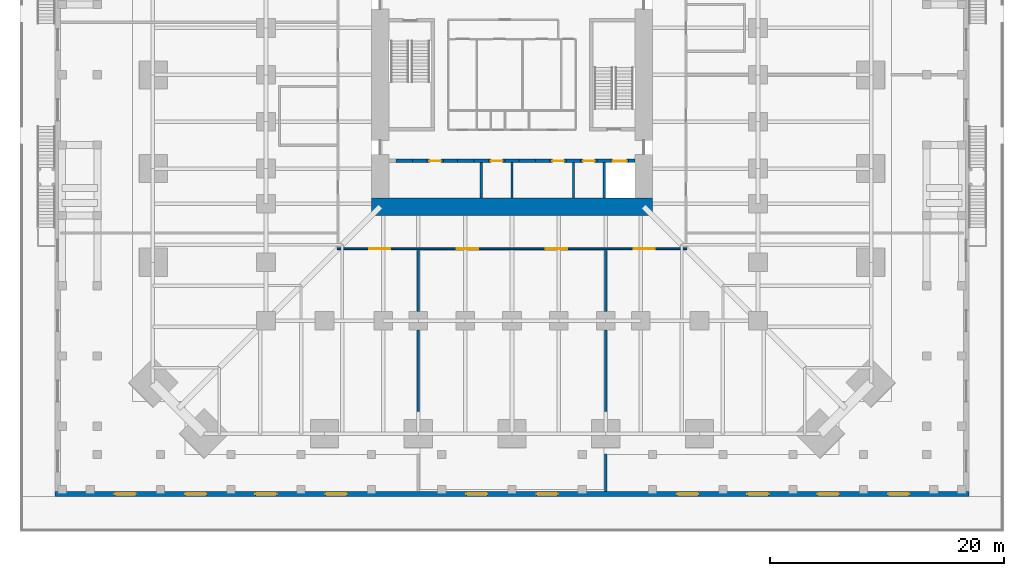
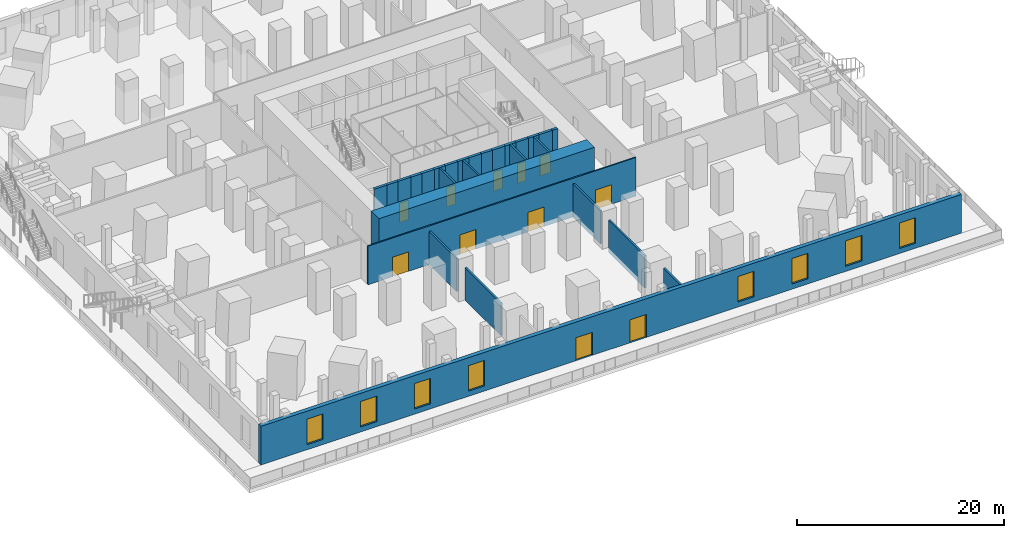
# One storey, part 11 of 22: 28 walls, 11 doors, 8 windows, 19 openings.
"""IFC4 building model written with IfcOpenShell, lengths in metres."""

from ifc_helpers import new_model, si_unit, direction, frame, frame_2d, origin, place, context, subcontext, project, spatial, rectangle, extrude, material, layer, layer_set, type_object, element, fill, save


model = new_model("IFC4")

# Units and contexts
model_context = context("Model", 3, precision=1e-05, world=origin(), true_north=direction((0.0, 1.0)))
body_context = subcontext(model_context, "Body", "Model", "MODEL_VIEW")
ifc_project = project(units=[si_unit("LENGTHUNIT", "METRE"), si_unit("AREAUNIT", "SQUARE_METRE"), si_unit("VOLUMEUNIT", "CUBIC_METRE"), si_unit("PLANEANGLEUNIT", "RADIAN"), si_unit("MASSUNIT", "GRAM", prefix="KILO")], contexts=[model_context])

# Site, building, storey
site_placement = place(None, origin())
site = spatial("IfcSite", under=ifc_project, at=site_placement, CompositionType="ELEMENT")
building_placement = place(site_placement, origin())
building = spatial("IfcBuilding", under=site, at=building_placement, Name="Peilmerk Tower", CompositionType="ELEMENT")
storey_placement = place(building_placement, frame((0.0, 0.0, 6.0)))
storey = spatial("IfcBuildingStorey", under=building, at=storey_placement, Name="L01", CompositionType="ELEMENT", Elevation=6.0)

# Wall, openings, doors, windows
ifc_material_1 = material(Name="Precast concrete C45/55, board-marked finish", Category="concrete")
ifc_layer_1 = layer(ifc_material_1, 0.449951171875)
ifc_layer_set_1 = layer_set([ifc_layer_1], Name="Precast concrete C45/55, board-marked finish")
wall_type_1 = type_object("IfcWallType", Name="EW1 450 precast concrete facade wall, board-marked", PredefinedType="SOLIDWALL", material=ifc_layer_set_1)
wall_1_placement = place(storey_placement, frame((39.0, -35.77490234375, 0.0), z_axis=(0.0, 0.0, 1.0), x_axis=(-1.0, 0.0, 0.0)))
wall_1 = element("IfcWall", 1, at=wall_1_placement, inside=storey, type_object=wall_type_1, Name="Facade wall S L01", PredefinedType="SOLIDWALL", context=body_context, shape_type="SweptSolid", body=[
    extrude(rectangle(XDim=78.0, YDim=0.449951171875, at=frame_2d((39.0, 0.0))), origin(), (0.0, 0.0, 1.0), 4.550048828125),
])
opening_1_placement = place(wall_1_placement, frame((5.10009765625, 0.0, 0.60009765625)))
opening_1 = element("IfcOpeningElement", 2, at=opening_1_placement, cuts=wall_1, Name="Opening W7", PredefinedType="OPENING", context=body_context, shape_type="SweptSolid", body=[
    extrude(rectangle(XDim=1.800048828125, YDim=3.0, at=frame_2d((0.89990234375, 1.5))), frame((0.0, 0.23486328125, 0.0), z_axis=(0.0, -1.0, 0.0), x_axis=(1.0, 0.0, 0.0)), (0.0, 0.0, 1.0), 0.469970703125),
])
opening_2_placement = place(wall_1_placement, frame((11.10009765625, 0.0, 0.60009765625)))
opening_2 = element("IfcOpeningElement", 3, at=opening_2_placement, cuts=wall_1, Name="Opening W7", PredefinedType="OPENING", context=body_context, shape_type="SweptSolid", body=[
    extrude(rectangle(XDim=1.800048828125, YDim=3.0, at=frame_2d((0.89990234375, 1.5))), frame((0.0, 0.23486328125, 0.0), z_axis=(0.0, -1.0, 0.0), x_axis=(1.0, 0.0, 0.0)), (0.0, 0.0, 1.0), 0.469970703125),
])
opening_3_placement = place(wall_1_placement, frame((17.10009765625, 0.0, 0.60009765625)))
opening_3 = element("IfcOpeningElement", 4, at=opening_3_placement, cuts=wall_1, Name="Opening W7", PredefinedType="OPENING", context=body_context, shape_type="SweptSolid", body=[
    extrude(rectangle(XDim=1.800048828125, YDim=3.0, at=frame_2d((0.89990234375, 1.5))), frame((0.0, 0.23486328125, 0.0), z_axis=(0.0, -1.0, 0.0), x_axis=(1.0, 0.0, 0.0)), (0.0, 0.0, 1.0), 0.469970703125),
])
opening_4_placement = place(wall_1_placement, frame((23.10009765625, 0.0, 0.60009765625)))
opening_4 = element("IfcOpeningElement", 5, at=opening_4_placement, cuts=wall_1, Name="Opening W7", PredefinedType="OPENING", context=body_context, shape_type="SweptSolid", body=[
    extrude(rectangle(XDim=1.800048828125, YDim=3.0, at=frame_2d((0.89990234375, 1.5))), frame((0.0, 0.23486328125, 0.0), z_axis=(0.0, -1.0, 0.0), x_axis=(1.0, 0.0, 0.0)), (0.0, 0.0, 1.0), 0.469970703125),
])
opening_5_placement = place(wall_1_placement, frame((53.10009765625, 0.0, 0.60009765625)))
opening_5 = element("IfcOpeningElement", 6, at=opening_5_placement, cuts=wall_1, Name="Opening W7", PredefinedType="OPENING", context=body_context, shape_type="SweptSolid", body=[
    extrude(rectangle(XDim=1.800048828125, YDim=3.0, at=frame_2d((0.89990234375, 1.5))), frame((0.0, 0.23486328125, 0.0), z_axis=(0.0, -1.0, 0.0), x_axis=(1.0, 0.0, 0.0)), (0.0, 0.0, 1.0), 0.469970703125),
])
opening_6_placement = place(wall_1_placement, frame((59.10009765625, 0.0, 0.60009765625)))
opening_6 = element("IfcOpeningElement", 7, at=opening_6_placement, cuts=wall_1, Name="Opening W7", PredefinedType="OPENING", context=body_context, shape_type="SweptSolid", body=[
    extrude(rectangle(XDim=1.800048828125, YDim=3.0, at=frame_2d((0.89990234375, 1.5))), frame((0.0, 0.23486328125, 0.0), z_axis=(0.0, -1.0, 0.0), x_axis=(1.0, 0.0, 0.0)), (0.0, 0.0, 1.0), 0.469970703125),
])
opening_7_placement = place(wall_1_placement, frame((65.10009765625, 0.0, 0.60009765625)))
opening_7 = element("IfcOpeningElement", 8, at=opening_7_placement, cuts=wall_1, Name="Opening W7", PredefinedType="OPENING", context=body_context, shape_type="SweptSolid", body=[
    extrude(rectangle(XDim=1.800048828125, YDim=3.0, at=frame_2d((0.89990234375, 1.5))), frame((0.0, 0.23486328125, 0.0), z_axis=(0.0, -1.0, 0.0), x_axis=(1.0, 0.0, 0.0)), (0.0, 0.0, 1.0), 0.469970703125),
])
opening_8_placement = place(wall_1_placement, frame((71.10009765625, 0.0, 0.60009765625)))
opening_8 = element("IfcOpeningElement", 9, at=opening_8_placement, cuts=wall_1, Name="Opening W7", PredefinedType="OPENING", context=body_context, shape_type="SweptSolid", body=[
    extrude(rectangle(XDim=1.800048828125, YDim=3.0, at=frame_2d((0.89990234375, 1.5))), frame((0.0, 0.23486328125, 0.0), z_axis=(0.0, -1.0, 0.0), x_axis=(1.0, 0.0, 0.0)), (0.0, 0.0, 1.0), 0.469970703125),
])
opening_9_placement = place(wall_1_placement, frame((35.10009765625, 0.0, 0.0)))
opening_9 = element("IfcOpeningElement", 10, at=opening_9_placement, cuts=wall_1, Name="Opening ED4", PredefinedType="OPENING", context=body_context, shape_type="SweptSolid", body=[
    extrude(rectangle(XDim=1.800048828125, YDim=2.699951171875, at=frame_2d((0.89990234375, 1.35009765625))), frame((0.0, 0.23486328125, 0.0), z_axis=(0.0, -1.0, 0.0), x_axis=(1.0, 0.0, 0.0)), (0.0, 0.0, 1.0), 0.469970703125),
])
opening_10_placement = place(wall_1_placement, frame((41.10009765625, 0.0, 0.0)))
opening_10 = element("IfcOpeningElement", 11, at=opening_10_placement, cuts=wall_1, Name="Opening ED4", PredefinedType="OPENING", context=body_context, shape_type="SweptSolid", body=[
    extrude(rectangle(XDim=1.800048828125, YDim=2.699951171875, at=frame_2d((0.89990234375, 1.35009765625))), frame((0.0, 0.23486328125, 0.0), z_axis=(0.0, -1.0, 0.0), x_axis=(1.0, 0.0, 0.0)), (0.0, 0.0, 1.0), 0.469970703125),
])
ifc_material_2 = material(Name="Aluminium frame, clear glazing", Category="aluminium")
door_type_1 = type_object("IfcDoorType", Name="ED4 1800x2700 terrace door pair, glazed", OperationType="DOUBLE_DOOR_DOUBLE_SWING", PredefinedType="DOOR", material=ifc_material_2)
door_1_placement = place(opening_9_placement, origin())
door_1 = element("IfcDoor", 12, at=door_1_placement, inside=storey, type_object=door_type_1, Name="Terrace door pair, glazed L01", OperationType="DOUBLE_DOOR_DOUBLE_SWING", OverallHeight=2.699951171875, OverallWidth=1.800048828125, PredefinedType="DOOR", context=body_context, shape_type="SweptSolid", body=[
    extrude(rectangle(XDim=1.800048828125, YDim=2.699951171875, at=frame_2d((0.89990234375, 1.35009765625))), frame((0.0, 0.02490234375, 0.0), z_axis=(0.0, -1.0, 0.0), x_axis=(1.0, 0.0, 0.0)), (0.0, 0.0, 1.0), 0.050048828125),
])
fill(opening_9, door_1)
door_2_placement = place(opening_10_placement, origin())
door_2 = element("IfcDoor", 13, at=door_2_placement, inside=storey, type_object=door_type_1, Name="Terrace door pair, glazed L01", OperationType="DOUBLE_DOOR_DOUBLE_SWING", OverallHeight=2.699951171875, OverallWidth=1.800048828125, PredefinedType="DOOR", context=body_context, shape_type="SweptSolid", body=[
    extrude(rectangle(XDim=1.800048828125, YDim=2.699951171875, at=frame_2d((0.89990234375, 1.35009765625))), frame((0.0, 0.02490234375, 0.0), z_axis=(0.0, -1.0, 0.0), x_axis=(1.0, 0.0, 0.0)), (0.0, 0.0, 1.0), 0.050048828125),
])
fill(opening_10, door_2)
ifc_material_3 = material(Name="Aluminium frame, clear double glazing", Category="aluminium")
window_type = type_object("IfcWindowType", Name="W7 1800x3000 podium window", PartitioningType="SINGLE_PANEL", PredefinedType="WINDOW", material=ifc_material_3)
window_1_placement = place(opening_1_placement, origin())
window_1 = element("IfcWindow", 14, at=window_1_placement, inside=storey, type_object=window_type, Name="Window W7 L01", OverallHeight=3.0, OverallWidth=1.800048828125, PartitioningType="SINGLE_PANEL", PredefinedType="WINDOW", context=body_context, shape_type="SweptSolid", body=[
    extrude(rectangle(XDim=1.800048828125, YDim=3.0, at=frame_2d((0.89990234375, 1.5))), frame((0.0, 0.030029296875, 0.0), z_axis=(0.0, -1.0, 0.0), x_axis=(1.0, 0.0, 0.0)), (0.0, 0.0, 1.0), 0.06005859375),
])
fill(opening_1, window_1)
window_2_placement = place(opening_2_placement, origin())
window_2 = element("IfcWindow", 15, at=window_2_placement, inside=storey, type_object=window_type, Name="Window W7 L01", OverallHeight=3.0, OverallWidth=1.800048828125, PartitioningType="SINGLE_PANEL", PredefinedType="WINDOW", context=body_context, shape_type="SweptSolid", body=[
    extrude(rectangle(XDim=1.800048828125, YDim=3.0, at=frame_2d((0.89990234375, 1.5))), frame((0.0, 0.030029296875, 0.0), z_axis=(0.0, -1.0, 0.0), x_axis=(1.0, 0.0, 0.0)), (0.0, 0.0, 1.0), 0.06005859375),
])
fill(opening_2, window_2)
window_3_placement = place(opening_3_placement, origin())
window_3 = element("IfcWindow", 16, at=window_3_placement, inside=storey, type_object=window_type, Name="Window W7 L01", OverallHeight=3.0, OverallWidth=1.800048828125, PartitioningType="SINGLE_PANEL", PredefinedType="WINDOW", context=body_context, shape_type="SweptSolid", body=[
    extrude(rectangle(XDim=1.800048828125, YDim=3.0, at=frame_2d((0.89990234375, 1.5))), frame((0.0, 0.030029296875, 0.0), z_axis=(0.0, -1.0, 0.0), x_axis=(1.0, 0.0, 0.0)), (0.0, 0.0, 1.0), 0.06005859375),
])
fill(opening_3, window_3)
window_4_placement = place(opening_4_placement, origin())
window_4 = element("IfcWindow", 17, at=window_4_placement, inside=storey, type_object=window_type, Name="Window W7 L01", OverallHeight=3.0, OverallWidth=1.800048828125, PartitioningType="SINGLE_PANEL", PredefinedType="WINDOW", context=body_context, shape_type="SweptSolid", body=[
    extrude(rectangle(XDim=1.800048828125, YDim=3.0, at=frame_2d((0.89990234375, 1.5))), frame((0.0, 0.030029296875, 0.0), z_axis=(0.0, -1.0, 0.0), x_axis=(1.0, 0.0, 0.0)), (0.0, 0.0, 1.0), 0.06005859375),
])
fill(opening_4, window_4)
window_5_placement = place(opening_5_placement, origin())
window_5 = element("IfcWindow", 18, at=window_5_placement, inside=storey, type_object=window_type, Name="Window W7 L01", OverallHeight=3.0, OverallWidth=1.800048828125, PartitioningType="SINGLE_PANEL", PredefinedType="WINDOW", context=body_context, shape_type="SweptSolid", body=[
    extrude(rectangle(XDim=1.800048828125, YDim=3.0, at=frame_2d((0.89990234375, 1.5))), frame((0.0, 0.030029296875, 0.0), z_axis=(0.0, -1.0, 0.0), x_axis=(1.0, 0.0, 0.0)), (0.0, 0.0, 1.0), 0.06005859375),
])
fill(opening_5, window_5)
window_6_placement = place(opening_6_placement, origin())
window_6 = element("IfcWindow", 19, at=window_6_placement, inside=storey, type_object=window_type, Name="Window W7 L01", OverallHeight=3.0, OverallWidth=1.800048828125, PartitioningType="SINGLE_PANEL", PredefinedType="WINDOW", context=body_context, shape_type="SweptSolid", body=[
    extrude(rectangle(XDim=1.800048828125, YDim=3.0, at=frame_2d((0.89990234375, 1.5))), frame((0.0, 0.030029296875, 0.0), z_axis=(0.0, -1.0, 0.0), x_axis=(1.0, 0.0, 0.0)), (0.0, 0.0, 1.0), 0.06005859375),
])
fill(opening_6, window_6)
window_7_placement = place(opening_7_placement, origin())
window_7 = element("IfcWindow", 20, at=window_7_placement, inside=storey, type_object=window_type, Name="Window W7 L01", OverallHeight=3.0, OverallWidth=1.800048828125, PartitioningType="SINGLE_PANEL", PredefinedType="WINDOW", context=body_context, shape_type="SweptSolid", body=[
    extrude(rectangle(XDim=1.800048828125, YDim=3.0, at=frame_2d((0.89990234375, 1.5))), frame((0.0, 0.030029296875, 0.0), z_axis=(0.0, -1.0, 0.0), x_axis=(1.0, 0.0, 0.0)), (0.0, 0.0, 1.0), 0.06005859375),
])
fill(opening_7, window_7)
window_8_placement = place(opening_8_placement, origin())
window_8 = element("IfcWindow", 21, at=window_8_placement, inside=storey, type_object=window_type, Name="Window W7 L01", OverallHeight=3.0, OverallWidth=1.800048828125, PartitioningType="SINGLE_PANEL", PredefinedType="WINDOW", context=body_context, shape_type="SweptSolid", body=[
    extrude(rectangle(XDim=1.800048828125, YDim=3.0, at=frame_2d((0.89990234375, 1.5))), frame((0.0, 0.030029296875, 0.0), z_axis=(0.0, -1.0, 0.0), x_axis=(1.0, 0.0, 0.0)), (0.0, 0.0, 1.0), 0.06005859375),
])
fill(opening_8, window_8)

# Wall, openings, doors
ifc_material_4 = material(Name="Calcium silicate block", Category="masonry")
ifc_layer_2 = layer(ifc_material_4, 0.14990234375)
ifc_layer_set_2 = layer_set([ifc_layer_2], Name="Calcium silicate block")
wall_type_2 = type_object("IfcWallType", Name="IW1 150 corridor partition, EI 60", PredefinedType="PARTITIONING", material=ifc_layer_set_2)
wall_2_placement = place(storey_placement, frame((14.925048828125, -14.85009765625, 0.0), z_axis=(0.0, 0.0, 1.0), x_axis=(-1.0, 0.0, 0.0)))
wall_2 = element("IfcWall", 22, at=wall_2_placement, inside=storey, type_object=wall_type_2, Name="Corridor wall S L01", PredefinedType="PARTITIONING", context=body_context, shape_type="SweptSolid", body=[
    extrude(rectangle(XDim=29.85009765625, YDim=0.14990234375, at=frame_2d((14.925048828125, 0.0))), origin(), (0.0, 0.0, 1.0), 4.550048828125),
])
opening_11_placement = place(wall_2_placement, frame((25.324951171875, 0.0, 0.0)))
opening_11 = element("IfcOpeningElement", 23, at=opening_11_placement, cuts=wall_2, Name="Opening D2", PredefinedType="OPENING", context=body_context, shape_type="SweptSolid", body=[
    extrude(rectangle(XDim=1.800048828125, YDim=2.300048828125, at=frame_2d((0.89990234375, 1.14990234375))), frame((0.0, 0.0849609375, 0.0), z_axis=(0.0, -1.0, 0.0), x_axis=(1.0, 0.0, 0.0)), (0.0, 0.0, 1.0), 0.169921875),
])
opening_12_placement = place(wall_2_placement, frame((17.824951171875, 0.0, 0.0)))
opening_12 = element("IfcOpeningElement", 24, at=opening_12_placement, cuts=wall_2, Name="Opening D2", PredefinedType="OPENING", context=body_context, shape_type="SweptSolid", body=[
    extrude(rectangle(XDim=1.800048828125, YDim=2.300048828125, at=frame_2d((0.89990234375, 1.14990234375))), frame((0.0, 0.0849609375, 0.0), z_axis=(0.0, -1.0, 0.0), x_axis=(1.0, 0.0, 0.0)), (0.0, 0.0, 1.0), 0.169921875),
])
opening_13_placement = place(wall_2_placement, frame((10.22509765625, 0.0, 0.0)))
opening_13 = element("IfcOpeningElement", 25, at=opening_13_placement, cuts=wall_2, Name="Opening D2", PredefinedType="OPENING", context=body_context, shape_type="SweptSolid", body=[
    extrude(rectangle(XDim=1.800048828125, YDim=2.300048828125, at=frame_2d((0.89990234375, 1.14990234375))), frame((0.0, 0.0849609375, 0.0), z_axis=(0.0, -1.0, 0.0), x_axis=(1.0, 0.0, 0.0)), (0.0, 0.0, 1.0), 0.169921875),
])
opening_14_placement = place(wall_2_placement, frame((2.72509765625, 0.0, 0.0)))
opening_14 = element("IfcOpeningElement", 26, at=opening_14_placement, cuts=wall_2, Name="Opening D2", PredefinedType="OPENING", context=body_context, shape_type="SweptSolid", body=[
    extrude(rectangle(XDim=1.800048828125, YDim=2.300048828125, at=frame_2d((0.89990234375, 1.14990234375))), frame((0.0, 0.0849609375, 0.0), z_axis=(0.0, -1.0, 0.0), x_axis=(1.0, 0.0, 0.0)), (0.0, 0.0, 1.0), 0.169921875),
])
ifc_material_5 = material(Name="Steel door in steel frame", Category="steel")
door_type_2 = type_object("IfcDoorType", Name="D2 1800x2300 double door, EI2 60", OperationType="DOUBLE_DOOR_DOUBLE_SWING", PredefinedType="DOOR", material=ifc_material_5)
door_3_placement = place(opening_11_placement, origin())
door_3 = element("IfcDoor", 27, at=door_3_placement, inside=storey, type_object=door_type_2, Name="Door Telecom carrier room A L01", OperationType="DOUBLE_DOOR_DOUBLE_SWING", OverallHeight=2.300048828125, OverallWidth=1.800048828125, PredefinedType="DOOR", context=body_context, shape_type="SweptSolid", body=[
    extrude(rectangle(XDim=1.800048828125, YDim=2.300048828125, at=frame_2d((0.89990234375, 1.14990234375))), frame((0.0, 0.02490234375, 0.0), z_axis=(0.0, -1.0, 0.0), x_axis=(1.0, 0.0, 0.0)), (0.0, 0.0, 1.0), 0.050048828125),
])
fill(opening_11, door_3)
door_4_placement = place(opening_12_placement, origin())
door_4 = element("IfcDoor", 28, at=door_4_placement, inside=storey, type_object=door_type_2, Name="Door Meet-me room B L01", OperationType="DOUBLE_DOOR_DOUBLE_SWING", OverallHeight=2.300048828125, OverallWidth=1.800048828125, PredefinedType="DOOR", context=body_context, shape_type="SweptSolid", body=[
    extrude(rectangle(XDim=1.800048828125, YDim=2.300048828125, at=frame_2d((0.89990234375, 1.14990234375))), frame((0.0, 0.02490234375, 0.0), z_axis=(0.0, -1.0, 0.0), x_axis=(1.0, 0.0, 0.0)), (0.0, 0.0, 1.0), 0.050048828125),
])
fill(opening_12, door_4)
door_5_placement = place(opening_13_placement, origin())
door_5 = element("IfcDoor", 29, at=door_5_placement, inside=storey, type_object=door_type_2, Name="Door Meet-me room B L01", OperationType="DOUBLE_DOOR_DOUBLE_SWING", OverallHeight=2.300048828125, OverallWidth=1.800048828125, PredefinedType="DOOR", context=body_context, shape_type="SweptSolid", body=[
    extrude(rectangle(XDim=1.800048828125, YDim=2.300048828125, at=frame_2d((0.89990234375, 1.14990234375))), frame((0.0, 0.02490234375, 0.0), z_axis=(0.0, -1.0, 0.0), x_axis=(1.0, 0.0, 0.0)), (0.0, 0.0, 1.0), 0.050048828125),
])
fill(opening_13, door_5)
door_6_placement = place(opening_14_placement, origin())
door_6 = element("IfcDoor", 30, at=door_6_placement, inside=storey, type_object=door_type_2, Name="Door Telecom carrier room B L01", OperationType="DOUBLE_DOOR_DOUBLE_SWING", OverallHeight=2.300048828125, OverallWidth=1.800048828125, PredefinedType="DOOR", context=body_context, shape_type="SweptSolid", body=[
    extrude(rectangle(XDim=1.800048828125, YDim=2.300048828125, at=frame_2d((0.89990234375, 1.14990234375))), frame((0.0, 0.02490234375, 0.0), z_axis=(0.0, -1.0, 0.0), x_axis=(1.0, 0.0, 0.0)), (0.0, 0.0, 1.0), 0.050048828125),
])
fill(opening_14, door_6)

# Walls
ifc_layer_3 = layer(ifc_material_4, 0.199951171875)
ifc_layer_set_3 = layer_set([ifc_layer_3], Name="Calcium silicate block")
wall_type_3 = type_object("IfcWallType", Name="IW2 200 room separating wall, EI 120", PredefinedType="PARTITIONING", material=ifc_layer_set_3)
wall_3_placement = place(storey_placement, frame((-8.0, -14.925048828125, 0.0), z_axis=(0.0, 0.0, 1.0), x_axis=(0.0, -1.0, 0.0)))
element("IfcWall", 31, at=wall_3_placement, inside=storey, type_object=wall_type_3, Name="Room separating wall S1 L01", PredefinedType="PARTITIONING", context=body_context, shape_type="SweptSolid", body=[
    extrude(rectangle(XDim=5.27490234375, YDim=0.199951171875, at=frame_2d((2.637451171875, 0.0))), origin(), (0.0, 0.0, 1.0), 3.909912109375),
])
wall_4_placement = place(storey_placement, frame((-8.0, -21.800048828125, 0.0), z_axis=(0.0, 0.0, 1.0), x_axis=(0.0, -1.0, 0.0)))
element("IfcWall", 32, at=wall_4_placement, inside=storey, type_object=wall_type_3, Name="Room separating wall S1b L01", PredefinedType="PARTITIONING", context=body_context, shape_type="SweptSolid", body=[
    extrude(rectangle(XDim=6.9560546875, YDim=0.199951171875, at=frame_2d((3.47802734375, 0.0))), origin(), (0.0, 0.0, 1.0), 3.81005859375),
])
wall_5_placement = place(storey_placement, frame((8.0, -14.925048828125, 0.0), z_axis=(0.0, 0.0, 1.0), x_axis=(0.0, -1.0, 0.0)))
element("IfcWall", 33, at=wall_5_placement, inside=storey, type_object=wall_type_3, Name="Room separating wall S2 L01", PredefinedType="PARTITIONING", context=body_context, shape_type="SweptSolid", body=[
    extrude(rectangle(XDim=5.27490234375, YDim=0.199951171875, at=frame_2d((2.637451171875, 0.0))), origin(), (0.0, 0.0, 1.0), 3.909912109375),
])
wall_6_placement = place(storey_placement, frame((8.0, -21.800048828125, 0.0), z_axis=(0.0, 0.0, 1.0), x_axis=(0.0, -1.0, 0.0)))
element("IfcWall", 34, at=wall_6_placement, inside=storey, type_object=wall_type_3, Name="Room separating wall S2b L01", PredefinedType="PARTITIONING", context=body_context, shape_type="SweptSolid", body=[
    extrude(rectangle(XDim=6.9560546875, YDim=0.199951171875, at=frame_2d((3.47802734375, 0.0))), origin(), (0.0, 0.0, 1.0), 3.81005859375),
])
wall_7_placement = place(storey_placement, frame((8.0, -32.351806640625, 0.0), z_axis=(0.0, 0.0, 1.0), x_axis=(0.0, -1.0, 0.0)))
element("IfcWall", 35, at=wall_7_placement, inside=storey, type_object=wall_type_3, Name="Room separating wall S2c L01", PredefinedType="PARTITIONING", context=body_context, shape_type="SweptSolid", body=[
    extrude(rectangle(XDim=3.1982421875, YDim=0.199951171875, at=frame_2d((1.59912109375, 0.0))), origin(), (0.0, 0.0, 1.0), 4.550048828125),
])
ifc_layer_4 = layer(ifc_material_4, 0.199951171875)
ifc_layer_set_4 = layer_set([ifc_layer_4], Name="Calcium silicate block")
wall_type_4 = type_object("IfcWallType", Name="SH1 200 shaft dividing wall, EI 120", PredefinedType="PARTITIONING", material=ifc_layer_set_4)
for number, where, z_axis, x_axis, name in (
    (36, (-2.625, -10.5, 0.0), (0.0, 0.0, 1.0), (0.0, 1.0, 0.0), "Shaft wall S C2 L01"),
    (37, (0.0, -10.5, 0.0), (0.0, 0.0, 1.0), (0.0, 1.0, 0.0), "Shaft wall S C1 L01"),
    (38, (5.25, -10.5, 0.0), (0.0, 0.0, 1.0), (0.0, 1.0, 0.0), "Shaft wall S B2 L01"),
    (39, (7.875, -10.5, 0.0), (0.0, 0.0, 1.0), (0.0, 1.0, 0.0), "Shaft wall S B1 L01"),
):
    element("IfcWall", number, at=place(storey_placement, frame(where, z_axis=z_axis, x_axis=x_axis)), inside=storey, type_object=wall_type_4, Name=name, PredefinedType="PARTITIONING", context=body_context, shape_type="SweptSolid", body=[
        extrude(rectangle(XDim=3.0, YDim=0.199951171875, at=frame_2d((1.5, 0.0))), origin(), (0.0, 0.0, 1.0), 5.0),
    ])
ifc_layer_5 = layer(ifc_material_4, 0.300048828125)
ifc_layer_set_5 = layer_set([ifc_layer_5], Name="Calcium silicate block")
wall_type_5 = type_object("IfcWallType", Name="SH2 300 lift landing door panel, EI 120", PredefinedType="PARTITIONING", material=ifc_layer_set_5)
wall_8_placement = place(storey_placement, frame((-9.887451171875, -7.35009765625, 0.0), z_axis=(0.0, 0.0, 1.0), x_axis=(1.0, 0.0, 0.0)))
element("IfcWall", 40, at=wall_8_placement, inside=storey, type_object=wall_type_5, Name="Lift door panel S C4 L01", PredefinedType="PARTITIONING", context=body_context, shape_type="SweptSolid", body=[
    extrude(rectangle(XDim=1.39990234375, YDim=0.300048828125, at=frame_2d((0.699951171875, 0.0))), origin(), (0.0, 0.0, 1.0), 5.0),
])

# Wall, opening, door
wall_9_placement = place(storey_placement, frame((-7.262451171875, -7.35009765625, 0.0), z_axis=(0.0, 0.0, 1.0), x_axis=(1.0, 0.0, 0.0)))
wall_9 = element("IfcWall", 41, at=wall_9_placement, inside=storey, type_object=wall_type_5, Name="Lift door panel S C3 L01", PredefinedType="PARTITIONING", context=body_context, shape_type="SweptSolid", body=[
    extrude(rectangle(XDim=1.39990234375, YDim=0.300048828125, at=frame_2d((0.699951171875, 0.0))), origin(), (0.0, 0.0, 1.0), 5.0),
])
opening_15_placement = place(wall_9_placement, frame((0.199951171875, 0.0, 0.0)))
opening_15 = element("IfcOpeningElement", 42, at=opening_15_placement, cuts=wall_9, Name="Opening D10", PredefinedType="OPENING", context=body_context, shape_type="SweptSolid", body=[
    extrude(rectangle(XDim=1.0, YDim=2.300048828125, at=frame_2d((0.5, 1.14990234375))), frame((0.0, 0.159912109375, 0.0), z_axis=(0.0, -1.0, 0.0), x_axis=(1.0, 0.0, 0.0)), (0.0, 0.0, 1.0), 0.320068359375),
])
door_type_3 = type_object("IfcDoorType", Name="D10 1000x2300 core room door, EI2 60", OperationType="SINGLE_SWING_RIGHT", PredefinedType="DOOR", material=ifc_material_5)
door_7_placement = place(opening_15_placement, frame((1.0, 0.0, 0.0), z_axis=(0.0, 0.0, 1.0), x_axis=(-1.0, 0.0, 0.0)))
door_7 = element("IfcDoor", 43, at=door_7_placement, inside=storey, type_object=door_type_3, Name="Door Mail room L01", OperationType="SINGLE_SWING_RIGHT", OverallHeight=2.300048828125, OverallWidth=1.0, PredefinedType="DOOR", context=body_context, shape_type="SweptSolid", body=[
    extrude(rectangle(XDim=1.0, YDim=2.300048828125, at=frame_2d((0.5, 1.14990234375))), frame((0.0, 0.02490234375, 0.0), z_axis=(0.0, -1.0, 0.0), x_axis=(1.0, 0.0, 0.0)), (0.0, 0.0, 1.0), 0.050048828125),
])
fill(opening_15, door_7)

# Wall
wall_10_placement = place(storey_placement, frame((-4.637451171875, -7.35009765625, 0.0), z_axis=(0.0, 0.0, 1.0), x_axis=(1.0, 0.0, 0.0)))
element("IfcWall", 44, at=wall_10_placement, inside=storey, type_object=wall_type_5, Name="Lift door panel S C2 L01", PredefinedType="PARTITIONING", context=body_context, shape_type="SweptSolid", body=[
    extrude(rectangle(XDim=1.39990234375, YDim=0.300048828125, at=frame_2d((0.699951171875, 0.0))), origin(), (0.0, 0.0, 1.0), 5.0),
])

# Wall, opening, door
wall_11_placement = place(storey_placement, frame((-2.012451171875, -7.35009765625, 0.0), z_axis=(0.0, 0.0, 1.0), x_axis=(1.0, 0.0, 0.0)))
wall_11 = element("IfcWall", 45, at=wall_11_placement, inside=storey, type_object=wall_type_5, Name="Lift door panel S C1 L01", PredefinedType="PARTITIONING", context=body_context, shape_type="SweptSolid", body=[
    extrude(rectangle(XDim=1.39990234375, YDim=0.300048828125, at=frame_2d((0.699951171875, 0.0))), origin(), (0.0, 0.0, 1.0), 5.0),
])
opening_16_placement = place(wall_11_placement, frame((0.199951171875, 0.0, 0.0)))
opening_16 = element("IfcOpeningElement", 46, at=opening_16_placement, cuts=wall_11, Name="Opening D10", PredefinedType="OPENING", context=body_context, shape_type="SweptSolid", body=[
    extrude(rectangle(XDim=1.0, YDim=2.300048828125, at=frame_2d((0.5, 1.14990234375))), frame((0.0, 0.159912109375, 0.0), z_axis=(0.0, -1.0, 0.0), x_axis=(1.0, 0.0, 0.0)), (0.0, 0.0, 1.0), 0.320068359375),
])
door_8_placement = place(opening_16_placement, frame((1.0, 0.0, 0.0), z_axis=(0.0, 0.0, 1.0), x_axis=(-1.0, 0.0, 0.0)))
door_8 = element("IfcDoor", 47, at=door_8_placement, inside=storey, type_object=door_type_3, Name="Door Water meter room L01", OperationType="SINGLE_SWING_RIGHT", OverallHeight=2.300048828125, OverallWidth=1.0, PredefinedType="DOOR", context=body_context, shape_type="SweptSolid", body=[
    extrude(rectangle(XDim=1.0, YDim=2.300048828125, at=frame_2d((0.5, 1.14990234375))), frame((0.0, 0.02490234375, 0.0), z_axis=(0.0, -1.0, 0.0), x_axis=(1.0, 0.0, 0.0)), (0.0, 0.0, 1.0), 0.050048828125),
])
fill(opening_16, door_8)

# Wall
wall_12_placement = place(storey_placement, frame((0.612548828125, -7.35009765625, 0.0), z_axis=(0.0, 0.0, 1.0), x_axis=(1.0, 0.0, 0.0)))
element("IfcWall", 48, at=wall_12_placement, inside=storey, type_object=wall_type_5, Name="Lift door panel S B3 L01", PredefinedType="PARTITIONING", context=body_context, shape_type="SweptSolid", body=[
    extrude(rectangle(XDim=1.39990234375, YDim=0.300048828125, at=frame_2d((0.699951171875, 0.0))), origin(), (0.0, 0.0, 1.0), 5.0),
])

# Wall, opening, door
wall_13_placement = place(storey_placement, frame((3.237548828125, -7.35009765625, 0.0), z_axis=(0.0, 0.0, 1.0), x_axis=(1.0, 0.0, 0.0)))
wall_13 = element("IfcWall", 49, at=wall_13_placement, inside=storey, type_object=wall_type_5, Name="Lift door panel S B2 L01", PredefinedType="PARTITIONING", context=body_context, shape_type="SweptSolid", body=[
    extrude(rectangle(XDim=1.39990234375, YDim=0.300048828125, at=frame_2d((0.699951171875, 0.0))), origin(), (0.0, 0.0, 1.0), 5.0),
])
opening_17_placement = place(wall_13_placement, frame((0.199951171875, 0.0, 0.0)))
opening_17 = element("IfcOpeningElement", 50, at=opening_17_placement, cuts=wall_13, Name="Opening D10", PredefinedType="OPENING", context=body_context, shape_type="SweptSolid", body=[
    extrude(rectangle(XDim=1.0, YDim=2.300048828125, at=frame_2d((0.5, 1.14990234375))), frame((0.0, 0.159912109375, 0.0), z_axis=(0.0, -1.0, 0.0), x_axis=(1.0, 0.0, 0.0)), (0.0, 0.0, 1.0), 0.320068359375),
])
door_9_placement = place(opening_17_placement, frame((1.0, 0.0, 0.0), z_axis=(0.0, 0.0, 1.0), x_axis=(-1.0, 0.0, 0.0)))
door_9 = element("IfcDoor", 51, at=door_9_placement, inside=storey, type_object=door_type_3, Name="Door First aid room L01", OperationType="SINGLE_SWING_RIGHT", OverallHeight=2.300048828125, OverallWidth=1.0, PredefinedType="DOOR", context=body_context, shape_type="SweptSolid", body=[
    extrude(rectangle(XDim=1.0, YDim=2.300048828125, at=frame_2d((0.5, 1.14990234375))), frame((0.0, 0.02490234375, 0.0), z_axis=(0.0, -1.0, 0.0), x_axis=(1.0, 0.0, 0.0)), (0.0, 0.0, 1.0), 0.050048828125),
])
fill(opening_17, door_9)

wall_14_placement = place(storey_placement, frame((5.862548828125, -7.35009765625, 0.0), z_axis=(0.0, 0.0, 1.0), x_axis=(1.0, 0.0, 0.0)))
wall_14 = element("IfcWall", 52, at=wall_14_placement, inside=storey, type_object=wall_type_5, Name="Lift door panel S B1 L01", PredefinedType="PARTITIONING", context=body_context, shape_type="SweptSolid", body=[
    extrude(rectangle(XDim=1.39990234375, YDim=0.300048828125, at=frame_2d((0.699951171875, 0.0))), origin(), (0.0, 0.0, 1.0), 5.0),
])
opening_18_placement = place(wall_14_placement, frame((0.199951171875, 0.0, 0.0)))
opening_18 = element("IfcOpeningElement", 53, at=opening_18_placement, cuts=wall_14, Name="Opening D10", PredefinedType="OPENING", context=body_context, shape_type="SweptSolid", body=[
    extrude(rectangle(XDim=1.0, YDim=2.300048828125, at=frame_2d((0.5, 1.14990234375))), frame((0.0, 0.159912109375, 0.0), z_axis=(0.0, -1.0, 0.0), x_axis=(1.0, 0.0, 0.0)), (0.0, 0.0, 1.0), 0.320068359375),
])
door_10_placement = place(opening_18_placement, frame((1.0, 0.0, 0.0), z_axis=(0.0, 0.0, 1.0), x_axis=(-1.0, 0.0, 0.0)))
door_10 = element("IfcDoor", 54, at=door_10_placement, inside=storey, type_object=door_type_3, Name="Door Staff WC L01", OperationType="SINGLE_SWING_RIGHT", OverallHeight=2.300048828125, OverallWidth=1.0, PredefinedType="DOOR", context=body_context, shape_type="SweptSolid", body=[
    extrude(rectangle(XDim=1.0, YDim=2.300048828125, at=frame_2d((0.5, 1.14990234375))), frame((0.0, 0.02490234375, 0.0), z_axis=(0.0, -1.0, 0.0), x_axis=(1.0, 0.0, 0.0)), (0.0, 0.0, 1.0), 0.050048828125),
])
fill(opening_18, door_10)

wall_15_placement = place(storey_placement, frame((8.4375, -7.35009765625, 0.0), z_axis=(0.0, 0.0, 1.0), x_axis=(1.0, 0.0, 0.0)))
wall_15 = element("IfcWall", 55, at=wall_15_placement, inside=storey, type_object=wall_type_5, Name="Lift door panel S FL2 L01", PredefinedType="PARTITIONING", context=body_context, shape_type="SweptSolid", body=[
    extrude(rectangle(XDim=1.5, YDim=0.300048828125, at=frame_2d((0.75, 0.0))), origin(), (0.0, 0.0, 1.0), 5.0),
])
opening_19_placement = place(wall_15_placement, frame((0.14990234375, 0.0, 0.0)))
opening_19 = element("IfcOpeningElement", 56, at=opening_19_placement, cuts=wall_15, Name="Opening LD2", PredefinedType="OPENING", context=body_context, shape_type="SweptSolid", body=[
    extrude(rectangle(XDim=1.199951171875, YDim=2.300048828125, at=frame_2d((0.60009765625, 1.14990234375))), frame((0.0, 0.159912109375, 0.0), z_axis=(0.0, -1.0, 0.0), x_axis=(1.0, 0.0, 0.0)), (0.0, 0.0, 1.0), 0.320068359375),
])
ifc_material_6 = material(Name="Stainless steel landing door", Category="steel")
door_type_4 = type_object("IfcDoorType", Name="LD2 1200x2300 lift landing door, sliding, EI2 60", OperationType="SLIDING_TO_LEFT", PredefinedType="DOOR", material=ifc_material_6)
door_11_placement = place(opening_19_placement, origin())
door_11 = element("IfcDoor", 57, at=door_11_placement, inside=storey, type_object=door_type_4, Name="Lift landing door FL2 L01", OperationType="SLIDING_TO_LEFT", OverallHeight=2.300048828125, OverallWidth=1.199951171875, PredefinedType="DOOR", context=body_context, shape_type="SweptSolid", body=[
    extrude(rectangle(XDim=1.199951171875, YDim=2.300048828125, at=frame_2d((0.60009765625, 1.14990234375))), frame((0.0, 0.02490234375, 0.0), z_axis=(0.0, -1.0, 0.0), x_axis=(1.0, 0.0, 0.0)), (0.0, 0.0, 1.0), 0.050048828125),
])
fill(opening_19, door_11)

# Walls
ifc_material_7 = material(Name="Concrete C55/67", Category="concrete")
ifc_layer_6 = layer(ifc_material_7, 1.5)
ifc_layer_set_6 = layer_set([ifc_layer_6], Name="Concrete C55/67")
wall_type_6 = type_object("IfcWallType", Name="SW1 1500 core wall", PredefinedType="SHEAR", material=ifc_layer_set_6)
wall_16_placement = place(storey_placement, frame((12.0, -11.25, 0.0), z_axis=(0.0, 0.0, 1.0), x_axis=(-1.0, 0.0, 0.0)))
element("IfcWall", 58, at=wall_16_placement, inside=storey, type_object=wall_type_6, Name="Core wall S L01", PredefinedType="SHEAR", context=body_context, shape_type="SweptSolid", body=[
    extrude(rectangle(XDim=24.0, YDim=1.5, at=frame_2d((12.0, 0.0))), origin(), (0.0, 0.0, 1.0), 5.0),
])
ifc_layer_7 = layer(ifc_material_7, 0.300048828125)
ifc_layer_set_7 = layer_set([ifc_layer_7], Name="Concrete C55/67")
wall_type_7 = type_object("IfcWallType", Name="SW2 300 lift bank pier", PredefinedType="SHEAR", material=ifc_layer_set_7)
for number, where, z_axis, x_axis, name in (
    (59, (-8.487548828125, -7.35009765625, 0.0), (0.0, 0.0, 1.0), (1.0, 0.0, 0.0), "Lift bank pier S L01"),
    (60, (-5.862548828125, -7.35009765625, 0.0), (0.0, 0.0, 1.0), (1.0, 0.0, 0.0), "Lift bank pier S L01"),
    (61, (-3.237548828125, -7.35009765625, 0.0), (0.0, 0.0, 1.0), (1.0, 0.0, 0.0), "Lift bank pier S L01"),
    (62, (-0.612548828125, -7.35009765625, 0.0), (0.0, 0.0, 1.0), (1.0, 0.0, 0.0), "Lift bank pier S L01"),
    (63, (2.012451171875, -7.35009765625, 0.0), (0.0, 0.0, 1.0), (1.0, 0.0, 0.0), "Lift bank pier S L01"),
    (64, (4.637451171875, -7.35009765625, 0.0), (0.0, 0.0, 1.0), (1.0, 0.0, 0.0), "Lift bank pier S L01"),
):
    element("IfcWall", number, at=place(storey_placement, frame(where, z_axis=z_axis, x_axis=x_axis)), inside=storey, type_object=wall_type_7, Name=name, PredefinedType="SHEAR", context=body_context, shape_type="SweptSolid", body=[
        extrude(rectangle(XDim=1.22509765625, YDim=0.300048828125, at=frame_2d((0.612548828125, 0.0))), origin(), (0.0, 0.0, 1.0), 5.0),
    ])
wall_17_placement = place(storey_placement, frame((7.262451171875, -7.35009765625, 0.0), z_axis=(0.0, 0.0, 1.0), x_axis=(1.0, 0.0, 0.0)))
element("IfcWall", 65, at=wall_17_placement, inside=storey, type_object=wall_type_7, Name="Lift bank pier S L01", PredefinedType="SHEAR", context=body_context, shape_type="SweptSolid", body=[
    extrude(rectangle(XDim=1.175048828125, YDim=0.300048828125, at=frame_2d((0.58740234375, 0.0))), origin(), (0.0, 0.0, 1.0), 5.0),
])
wall_18_placement = place(storey_placement, frame((9.9375, -7.35009765625, 0.0), z_axis=(0.0, 0.0, 1.0), x_axis=(1.0, 0.0, 0.0)))
element("IfcWall", 66, at=wall_18_placement, inside=storey, type_object=wall_type_7, Name="Lift bank pier S L01", PredefinedType="SHEAR", context=body_context, shape_type="SweptSolid", body=[
    extrude(rectangle(XDim=0.5625, YDim=0.300048828125, at=frame_2d((0.28125, 0.0))), origin(), (0.0, 0.0, 1.0), 5.0),
])

save(model, "model.ifc")
